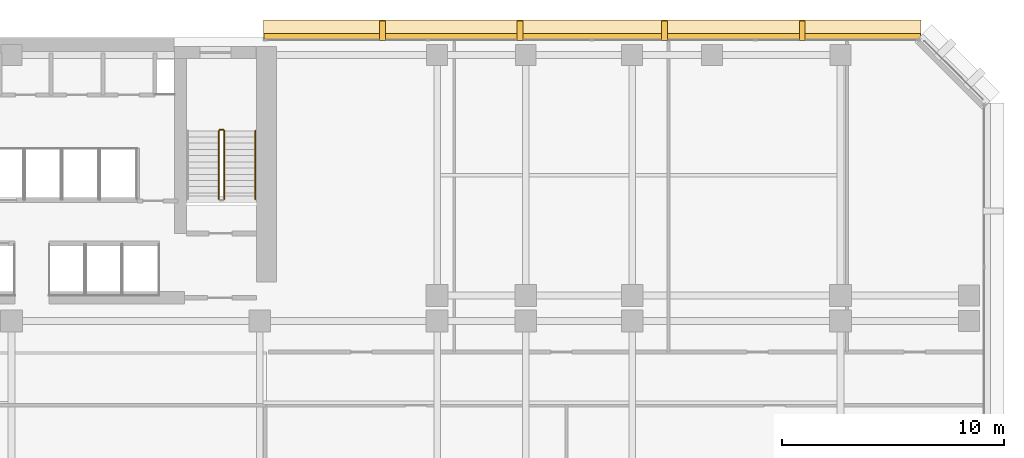
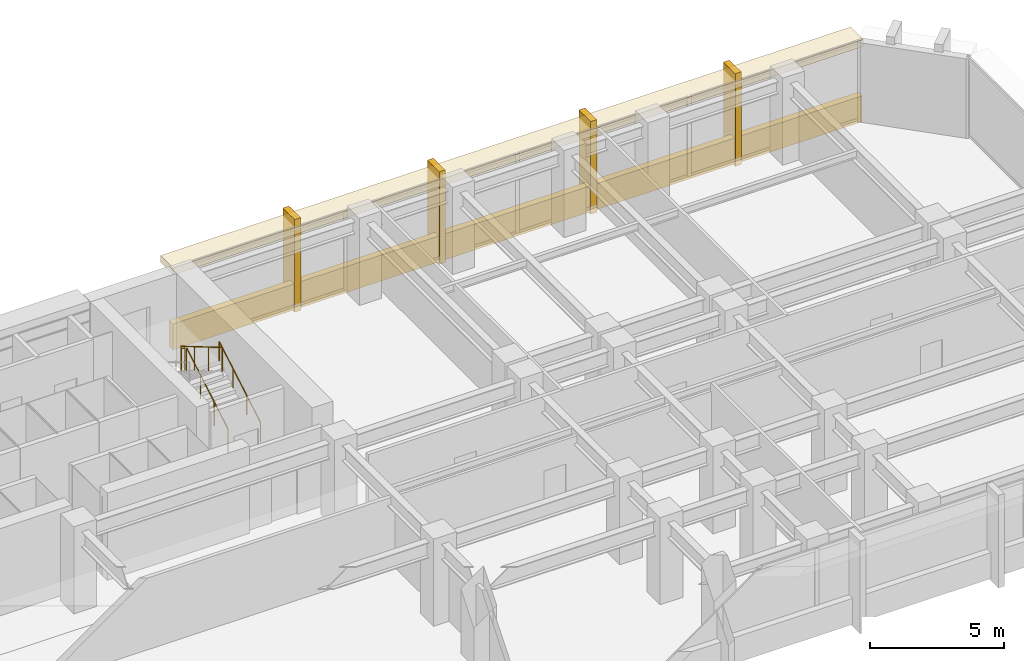
# One storey, part 12 of 13: 6 coverings, 4 railings.
"""IFC4 building model written with IfcOpenShell, lengths in metres."""

from ifc_helpers import new_model, si_unit, direction, frame, origin, origin_2d, place, context, subcontext, project, spatial, rectangle, circle, extrude, material, layer, layer_set, type_object, element, save


model = new_model("IFC4")

# Units and contexts
model_context = context("Model", 3, precision=1e-05, world=origin(), true_north=direction((0.0, 1.0)))
body_context = subcontext(model_context, "Body", "Model", "MODEL_VIEW")
ifc_project = project(units=[si_unit("LENGTHUNIT", "METRE"), si_unit("AREAUNIT", "SQUARE_METRE"), si_unit("VOLUMEUNIT", "CUBIC_METRE"), si_unit("PLANEANGLEUNIT", "RADIAN"), si_unit("MASSUNIT", "GRAM", prefix="KILO")], contexts=[model_context])

# Site, building, storey
site_placement = place(None, origin())
site = spatial("IfcSite", under=ifc_project, at=site_placement, CompositionType="ELEMENT")
building_placement = place(site_placement, origin())
building = spatial("IfcBuilding", under=site, at=building_placement, Name="Kefirva Bronze Tower", CompositionType="ELEMENT")
storey_placement = place(building_placement, frame((0.0, 0.0, 89.760009765625)))
storey = spatial("IfcBuildingStorey", under=building, at=storey_placement, Name="L21", CompositionType="ELEMENT", Elevation=89.760009765625)

# Covering
ifc_material_1 = material(Name="Bronze anodised aluminium", Category="aluminium")
ifc_layer_1 = layer(ifc_material_1, 0.02001953125, Name="Bronze anodised aluminium")
ifc_layer_set_1 = layer_set([ifc_layer_1], Name="Bronze anodised aluminium")
covering_type_1 = type_object("IfcCoveringType", Name="Anodised Bronze Spandrel Cladding 20mm", PredefinedType="CLADDING", material=ifc_layer_set_1)
covering_1_placement = place(storey_placement, frame((38.202392578125, 46.0400390625, -0.16015625), z_axis=(0.0, 0.0, 1.0), x_axis=(-1.0, 0.0, 0.0)))
element("IfcCovering", 1, at=covering_1_placement, inside=storey, type_object=covering_type_1, Name="L21 Streamline Horizontal Spandrel Band 12", PredefinedType="CLADDING", context=body_context, shape_type="SweptSolid", body=[
    extrude(rectangle(XDim=29.635009765625, YDim=0.280029296875, at=origin_2d()), origin(), (0.0, 0.0, 1.0), 1.179931640625),
])

# Railings
ifc_material_2 = material(Name="Stainless steel 316", Category="steel")
railing_type_1 = type_object("IfcRailingType", Name="Interior Stair Guardrail 1100mm", PredefinedType="GUARDRAIL", material=ifc_material_2)
railing_1_placement = place(storey_placement, frame((21.60009765625, 38.699951171875, 0.1650390625)))
element("IfcRailing", 2, at=railing_1_placement, inside=storey, type_object=railing_type_1, Name="L21 ST-2 stair guard 1", PredefinedType="GUARDRAIL", context=body_context, shape_type="SweptSolid", body=[
    extrude(circle(Radius=0.02392578125, at=origin_2d()), frame((0.0, 0.0, 1.076171875), z_axis=(0.0, 0.861551262678, 0.507670583921), x_axis=(-1.0, 0.0, 0.0)), (0.0, 0.0, 1.0), 3.574951171875),
    extrude(circle(Radius=0.02099609375, at=origin_2d()), origin(), (0.0, 0.0, 1.0), 1.052001953125),
    extrude(circle(Radius=0.02099609375, at=origin_2d()), frame((0.0, 1.026611328125, 0.60498046875)), (0.0, 0.0, 1.0), 1.052001953125),
    extrude(circle(Radius=0.02099609375, at=origin_2d()), frame((0.0, 2.053466796875, 1.2099609375)), (0.0, 0.0, 1.0), 1.052001953125),
    extrude(circle(Radius=0.02099609375, at=origin_2d()), frame((0.0, 3.080078125, 1.81494140625)), (0.0, 0.0, 1.0), 1.052001953125),
])
railing_2_placement = place(storey_placement, frame((21.550048828125, 41.830078125, 1.97998046875)))
element("IfcRailing", 3, at=railing_2_placement, inside=storey, type_object=railing_type_1, Name="L21 ST-2 stair guard 2", PredefinedType="GUARDRAIL", context=body_context, shape_type="SweptSolid", body=[
    extrude(circle(Radius=0.02392578125, at=origin_2d()), frame((0.0, 0.0, 1.076171875), z_axis=(-1.0, 0.0, 0.0), x_axis=(0.0, -1.0, 0.0)), (0.0, 0.0, 1.0), 0.150146484375),
    extrude(circle(Radius=0.02099609375, at=origin_2d()), origin(), (0.0, 0.0, 1.0), 1.052001953125),
    extrude(circle(Radius=0.02099609375, at=origin_2d()), frame((-0.150146484375, 0.0, 0.0)), (0.0, 0.0, 1.0), 1.052001953125),
])
railing_3_placement = place(storey_placement, frame((21.35009765625, 41.780029296875, 2.14501953125)))
element("IfcRailing", 4, at=railing_3_placement, inside=storey, type_object=railing_type_1, Name="L21 ST-2 stair guard 3", PredefinedType="GUARDRAIL", context=body_context, shape_type="SweptSolid", body=[
    extrude(circle(Radius=0.02392578125, at=origin_2d()), frame((0.0, 0.0, 1.076171875), z_axis=(0.0, -0.861551262678, 0.507670583921), x_axis=(1.0, 0.0, 0.0)), (0.0, 0.0, 1.0), 3.574951171875),
    extrude(circle(Radius=0.02099609375, at=origin_2d()), origin(), (0.0, 0.0, 1.0), 1.052001953125),
    extrude(circle(Radius=0.02099609375, at=origin_2d()), frame((0.0, -1.026611328125, 0.60498046875)), (0.0, 0.0, 1.0), 1.052001953125),
    extrude(circle(Radius=0.02099609375, at=origin_2d()), frame((0.0, -2.053466796875, 1.2099609375)), (0.0, 0.0, 1.0), 1.052001953125),
    extrude(circle(Radius=0.02099609375, at=origin_2d()), frame((0.0, -3.080078125, 1.81494140625)), (0.0, 0.0, 1.0), 1.052001953125),
])
railing_type_2 = type_object("IfcRailingType", Name="Stair Pitch Handrail 900mm", PredefinedType="HANDRAIL", material=ifc_material_2)
railing_4_placement = place(storey_placement, frame((23.0, 38.699951171875, 0.1650390625)))
element("IfcRailing", 5, at=railing_4_placement, inside=storey, type_object=railing_type_2, Name="L21 ST-2 stair handrail 1", PredefinedType="HANDRAIL", context=body_context, shape_type="SweptSolid", body=[
    extrude(circle(Radius=0.02392578125, at=origin_2d()), frame((0.0, 0.0, 0.8759765625), z_axis=(0.0, 0.861551262678, 0.507670583921), x_axis=(-1.0, 0.0, 0.0)), (0.0, 0.0, 1.0), 3.574951171875),
    extrude(circle(Radius=0.02099609375, at=origin_2d()), origin(), (0.0, 0.0, 1.0), 0.851806640625),
    extrude(circle(Radius=0.02099609375, at=origin_2d()), frame((0.0, 1.026611328125, 0.60498046875)), (0.0, 0.0, 1.0), 0.851806640625),
    extrude(circle(Radius=0.02099609375, at=origin_2d()), frame((0.0, 2.053466796875, 1.2099609375)), (0.0, 0.0, 1.0), 0.851806640625),
    extrude(circle(Radius=0.02099609375, at=origin_2d()), frame((0.0, 3.080078125, 1.81494140625)), (0.0, 0.0, 1.0), 0.851806640625),
])

# Coverings
ifc_layer_2 = layer(ifc_material_1, 0.179931640625, Name="Bronze anodised aluminium")
ifc_layer_set_2 = layer_set([ifc_layer_2], Name="Bronze anodised aluminium")
covering_type_2 = type_object("IfcCoveringType", Name="Streamline Bronze Sunshade Eyebrow Cladding 180mm", PredefinedType="CLADDING", material=ifc_layer_set_2)
covering_2_placement = place(storey_placement, frame((38.202392578125, 46.31005859375, 3.2900390625), z_axis=(0.0, 0.0, 1.0), x_axis=(-1.0, 0.0, 0.0)))
element("IfcCovering", 6, at=covering_2_placement, inside=storey, type_object=covering_type_2, Name="L21 Streamline Bronze Sunshade Eyebrow 12", PredefinedType="CLADDING", context=body_context, shape_type="SweptSolid", body=[
    extrude(rectangle(XDim=29.675048828125, YDim=0.93994140625, at=origin_2d()), origin(), (0.0, 0.0, 1.0), 0.320068359375),
])
ifc_layer_3 = layer(ifc_material_1, 0.260009765625, Name="Bronze anodised aluminium")
ifc_layer_set_3 = layer_set([ifc_layer_3], Name="Bronze anodised aluminium")
covering_type_3 = type_object("IfcCoveringType", Name="Unbroken Bronze Buttress Fin Cladding 260mm", PredefinedType="CLADDING", material=ifc_layer_set_3)
for number, where, z_axis, x_axis, name in (
    (7, (47.6728515625, 46.300048828125, -0.25), (0.0, 0.0, 1.0), (-1.0, 0.0, 0.0), "L21 Unbroken Vertical Bronze Rib Fin 19"),
    (8, (41.4580078125, 46.300048828125, -0.25), (0.0, 0.0, 1.0), (-1.0, 0.0, 0.0), "L21 Unbroken Vertical Bronze Rib Fin 20"),
    (9, (34.947021484375, 46.300048828125, -0.25), (0.0, 0.0, 1.0), (-1.0, 0.0, 0.0), "L21 Unbroken Vertical Bronze Rib Fin 21"),
    (10, (28.732177734375, 46.300048828125, -0.25), (0.0, 0.0, 1.0), (-1.0, 0.0, 0.0), "L21 Unbroken Vertical Bronze Rib Fin 22"),
):
    element("IfcCovering", number, at=place(storey_placement, frame(where, z_axis=z_axis, x_axis=x_axis)), inside=storey, type_object=covering_type_3, Name=name, PredefinedType="CLADDING", context=body_context, shape_type="SweptSolid", body=[
        extrude(rectangle(XDim=0.260009765625, YDim=0.8798828125, at=origin_2d()), origin(), (0.0, 0.0, 1.0), 4.2099609375),
    ])

save(model, "model.ifc")
